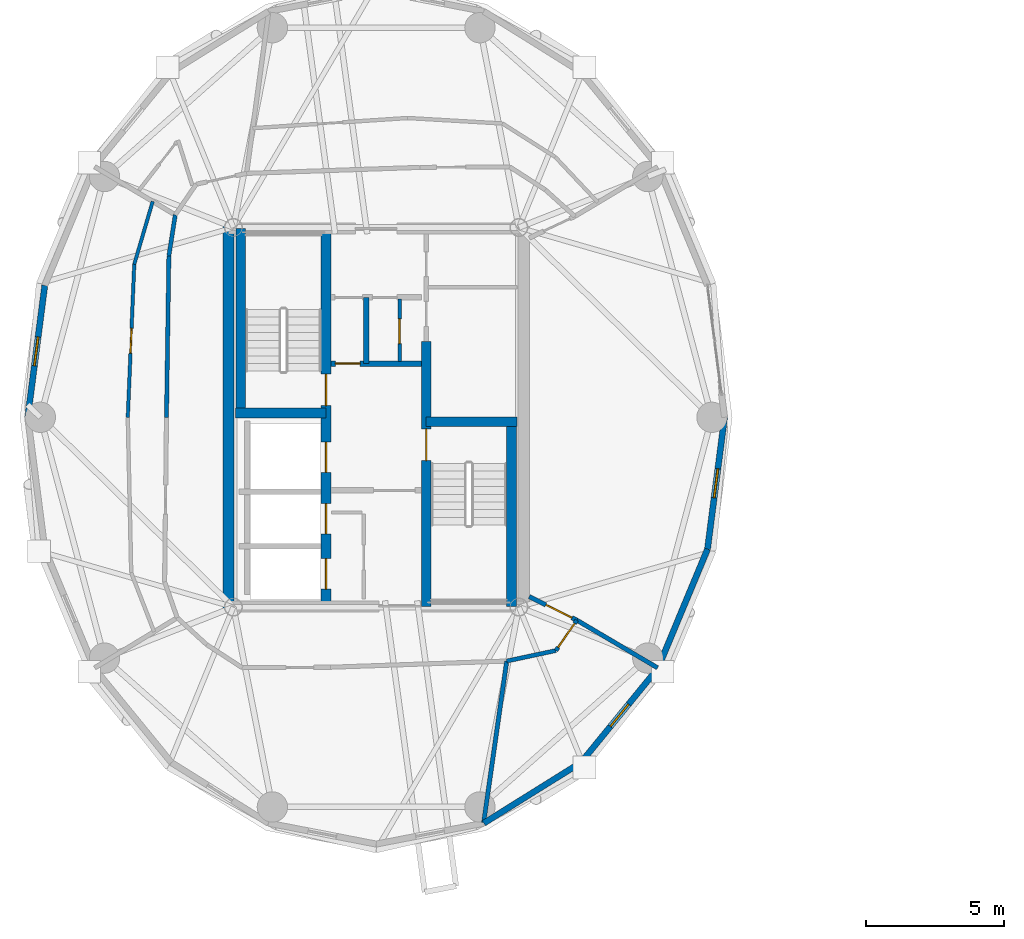
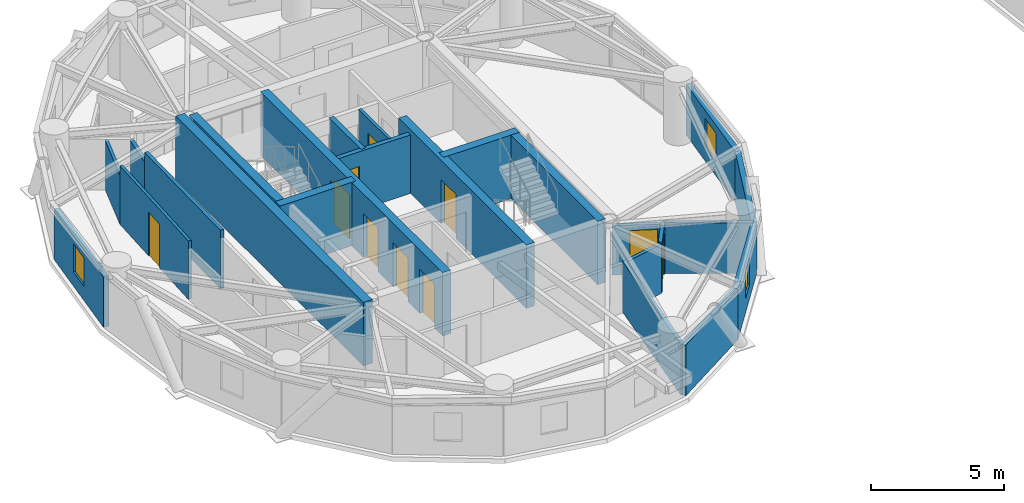
# One storey, part 9 of 16: 24 walls, 10 doors, 3 windows, 13 openings.
"""IFC4 building model written with IfcOpenShell, lengths in metres."""

from ifc_helpers import new_model, si_unit, direction, frame, frame_2d, origin, place, context, subcontext, project, spatial, rectangle, extrude, source, transform, mapped, material, layer, layer_set, type_object, element, fill, save


model = new_model("IFC4")

# Units and contexts
model_context = context("Model", 3, precision=1e-05, world=origin(), true_north=direction((0.0, 1.0)))
body_context = subcontext(model_context, "Body", "Model", "MODEL_VIEW")
ifc_project = project(units=[si_unit("LENGTHUNIT", "METRE"), si_unit("AREAUNIT", "SQUARE_METRE"), si_unit("VOLUMEUNIT", "CUBIC_METRE"), si_unit("PLANEANGLEUNIT", "RADIAN"), si_unit("MASSUNIT", "GRAM", prefix="KILO")], contexts=[model_context])

# Site, building, storey
site_placement = place(None, origin())
site = spatial("IfcSite", under=ifc_project, at=site_placement, CompositionType="ELEMENT")
building_placement = place(site_placement, origin())
building = spatial("IfcBuilding", under=site, at=building_placement, Name="Cununo Teusaquillo Station Towers", CompositionType="ELEMENT")
storey_placement = place(building_placement, frame((0.0, 0.0, 219.93994140625)))
storey = spatial("IfcBuildingStorey", under=building, at=storey_placement, Name="L70", CompositionType="ELEMENT", Elevation=219.93994140625)

# Wall, openings, doors
ifc_material_1 = material(Name="Concrete C50/60", Category="concrete")
ifc_layer_1 = layer(ifc_material_1, 0.35009765625)
ifc_layer_set_1 = layer_set([ifc_layer_1], Name="Concrete C50/60")
wall_type_1 = type_object("IfcWallType", Name="WL-CORE-350", PredefinedType="SHEAR", material=ifc_layer_set_1)
wall_1_placement = place(storey_placement, frame((14.68505859375, 17.64990234375, 0.0), z_axis=(0.0, 0.0, 1.0), x_axis=(0.0, 1.0, 0.0)))
wall_1 = element("IfcWall", 1, at=wall_1_placement, inside=storey, type_object=wall_type_1, Name="L70 Tower A Core Shear Wall IW", PredefinedType="SHEAR", context=body_context, shape_type="SweptSolid", body=[
    extrude(rectangle(XDim=13.7001953125, YDim=0.35009765625, at=frame_2d((6.85009765625, 0.0))), origin(), (0.0, 0.0, 1.0), 2.91015625),
])
shared_shape_1 = source(origin(), body_context, "Body", "SweptSolid", [
    extrude(rectangle(XDim=1.10009765625, YDim=2.014892578125, at=frame_2d((0.550048828125, 1.00732421875))), frame((0.0, 0.18505859375, 0.0), z_axis=(0.0, -1.0, 0.0), x_axis=(1.0, 0.0, 0.0)), (0.0, 0.0, 1.0), 0.3701171875),
])
opening_1_placement = place(wall_1_placement, frame((4.85009765625, 0.0, 0.0)))
opening_1 = element("IfcOpeningElement", 2, at=opening_1_placement, cuts=wall_1, Name="Opening LD-01", PredefinedType="OPENING", context=body_context, shape_type="MappedRepresentation", body=[
    mapped(shared_shape_1, transform((0.0, 0.0, 0.0), x_axis=(1.0, 0.0, 0.0), y_axis=(0.0, 1.0, 0.0), z_axis=(0.0, 0.0, 1.0), scale=1.0)),
])
opening_2_placement = place(wall_1_placement, frame((0.625, 0.0, 0.0)))
opening_2 = element("IfcOpeningElement", 3, at=opening_2_placement, cuts=wall_1, Name="Opening LD-01", PredefinedType="OPENING", context=body_context, shape_type="MappedRepresentation", body=[
    mapped(shared_shape_1, transform((0.0, 0.0, 0.0), x_axis=(1.0, 0.0, 0.0), y_axis=(0.0, 1.0, 0.0), z_axis=(0.0, 0.0, 1.0), scale=1.0)),
])
opening_3_placement = place(wall_1_placement, frame((2.625, 0.0, 0.0)))
opening_3 = element("IfcOpeningElement", 4, at=opening_3_placement, cuts=wall_1, Name="Opening LD-01", PredefinedType="OPENING", context=body_context, shape_type="MappedRepresentation", body=[
    mapped(shared_shape_1, transform((0.0, 0.0, 0.0), x_axis=(1.0, 0.0, 0.0), y_axis=(0.0, 1.0, 0.0), z_axis=(0.0, 0.0, 1.0), scale=1.0)),
])
shared_shape_2 = source(origin(), body_context, "Body", "SweptSolid", [
    extrude(rectangle(XDim=1.14990234375, YDim=2.02001953125, at=frame_2d((0.574951171875, 1.010009765625))), frame((0.0, 0.18505859375, 0.0), z_axis=(0.0, -1.0, 0.0), x_axis=(1.0, 0.0, 0.0)), (0.0, 0.0, 1.0), 0.3701171875),
])
opening_4_placement = place(wall_1_placement, frame((7.27001953125, 0.0, 0.0)))
opening_4 = element("IfcOpeningElement", 5, at=opening_4_placement, cuts=wall_1, Name="Opening D-ST1", PredefinedType="OPENING", context=body_context, shape_type="MappedRepresentation", body=[
    mapped(shared_shape_2, transform((0.0, 0.0, 0.0), x_axis=(1.0, 0.0, 0.0), y_axis=(0.0, 1.0, 0.0), z_axis=(0.0, 0.0, 1.0), scale=1.0)),
])
ifc_material_2 = material(Name="Galvanised fire-rated hollow steel door assembly", Category="steel")
door_type_1 = type_object("IfcDoorType", Name="DR-LIFT-1100", OperationType="SLIDING_TO_LEFT", PredefinedType="DOOR", material=ifc_material_2)
shared_shape_3 = source(origin(), body_context, "Body", "SweptSolid", [
    extrude(rectangle(XDim=1.10009765625, YDim=2.014892578125, at=frame_2d((0.550048828125, 1.00732421875))), frame((0.0, 0.02490234375, 0.0), z_axis=(0.0, -1.0, 0.0), x_axis=(1.0, 0.0, 0.0)), (0.0, 0.0, 1.0), 0.050048828125),
])
door_1_placement = place(opening_1_placement, origin())
door_1 = element("IfcDoor", 6, at=door_1_placement, inside=storey, type_object=door_type_1, Name="L70 Lift FL-T1 Sliding Landing Door", OperationType="SLIDING_TO_LEFT", OverallHeight=2.014892578125, OverallWidth=1.10009765625, PredefinedType="DOOR", context=body_context, shape_type="MappedRepresentation", body=[
    mapped(shared_shape_3, transform((0.0, 0.0, 0.0), x_axis=(1.0, 0.0, 0.0), y_axis=(0.0, 1.0, 0.0), z_axis=(0.0, 0.0, 1.0), scale=1.0)),
])
fill(opening_1, door_1)
door_2_placement = place(opening_2_placement, origin())
door_2 = element("IfcDoor", 7, at=door_2_placement, inside=storey, type_object=door_type_1, Name="L70 Lift PL-T1-H1 Sliding Landing Door", OperationType="SLIDING_TO_LEFT", OverallHeight=2.014892578125, OverallWidth=1.10009765625, PredefinedType="DOOR", context=body_context, shape_type="MappedRepresentation", body=[
    mapped(shared_shape_3, transform((0.0, 0.0, 0.0), x_axis=(1.0, 0.0, 0.0), y_axis=(0.0, 1.0, 0.0), z_axis=(0.0, 0.0, 1.0), scale=1.0)),
])
fill(opening_2, door_2)
door_3_placement = place(opening_3_placement, origin())
door_3 = element("IfcDoor", 8, at=door_3_placement, inside=storey, type_object=door_type_1, Name="L70 Lift PL-T1-H2 Sliding Landing Door", OperationType="SLIDING_TO_RIGHT", OverallHeight=2.014892578125, OverallWidth=1.10009765625, PredefinedType="DOOR", context=body_context, shape_type="MappedRepresentation", body=[
    mapped(shared_shape_3, transform((0.0, 0.0, 0.0), x_axis=(1.0, 0.0, 0.0), y_axis=(0.0, 1.0, 0.0), z_axis=(0.0, 0.0, 1.0), scale=1.0)),
])
fill(opening_3, door_3)
ifc_material_3 = material(Name="Galvanised fire-rated hollow steel door assembly", Category="steel")
door_type_2 = type_object("IfcDoorType", Name="DR-STAIR-1150", OperationType="NOTDEFINED", PredefinedType="DOOR", material=ifc_material_3)
shared_shape_4 = source(origin(), body_context, "Body", "SweptSolid", [
    extrude(rectangle(XDim=1.14990234375, YDim=2.02001953125, at=frame_2d((0.574951171875, 1.010009765625))), frame((0.0, 0.02490234375, 0.0), z_axis=(0.0, -1.0, 0.0), x_axis=(1.0, 0.0, 0.0)), (0.0, 0.0, 1.0), 0.050048828125),
])
door_4_placement = place(opening_4_placement, origin())
door_4 = element("IfcDoor", 9, at=door_4_placement, inside=storey, type_object=door_type_2, Name="L70 Tower A Exit Stair 1 Fire Door", OperationType="SINGLE_SWING_RIGHT", OverallHeight=2.02001953125, OverallWidth=1.14990234375, PredefinedType="DOOR", context=body_context, shape_type="MappedRepresentation", body=[
    mapped(shared_shape_4, transform((0.0, 0.0, 0.0), x_axis=(1.0, 0.0, 0.0), y_axis=(0.0, 1.0, 0.0), z_axis=(0.0, 0.0, 1.0), scale=1.0)),
])
fill(opening_4, door_4)

# Wall, opening, door
wall_2_placement = place(storey_placement, frame((18.31494140625, 17.64990234375, 0.0), z_axis=(0.0, 0.0, 1.0), x_axis=(0.0, 1.0, 0.0)))
wall_2 = element("IfcWall", 10, at=wall_2_placement, inside=storey, type_object=wall_type_1, Name="L70 Tower A Core Shear Wall IE", PredefinedType="SHEAR", context=body_context, shape_type="SweptSolid", body=[
    extrude(rectangle(XDim=9.60009765625, YDim=0.35009765625, at=frame_2d((4.800048828125, 0.0))), origin(), (0.0, 0.0, 1.0), 2.91015625),
])
opening_5_placement = place(wall_2_placement, frame((5.280029296875, 0.0, 0.0)))
opening_5 = element("IfcOpeningElement", 11, at=opening_5_placement, cuts=wall_2, Name="Opening D-ST1", PredefinedType="OPENING", context=body_context, shape_type="MappedRepresentation", body=[
    mapped(shared_shape_2, transform((0.0, 0.0, 0.0), x_axis=(1.0, 0.0, 0.0), y_axis=(0.0, 1.0, 0.0), z_axis=(0.0, 0.0, 1.0), scale=1.0)),
])
door_5_placement = place(opening_5_placement, origin())
door_5 = element("IfcDoor", 12, at=door_5_placement, inside=storey, type_object=door_type_2, Name="L70 Tower A Exit Stair 2 Fire Door", OperationType="SINGLE_SWING_LEFT", OverallHeight=2.02001953125, OverallWidth=1.14990234375, PredefinedType="DOOR", context=body_context, shape_type="MappedRepresentation", body=[
    mapped(shared_shape_4, transform((0.0, 0.0, 0.0), x_axis=(1.0, 0.0, 0.0), y_axis=(0.0, 1.0, 0.0), z_axis=(0.0, 0.0, 1.0), scale=1.0)),
])
fill(opening_5, door_5)

# Walls
wall_3_placement = place(storey_placement, frame((11.594970703125, 24.655029296875, 0.0), z_axis=(0.0, 0.0, 1.0), x_axis=(0.0, 1.0, 0.0)))
element("IfcWall", 13, at=wall_3_placement, inside=storey, type_object=wall_type_1, Name="L70 Tower A Core Shear Wall ST1W", PredefinedType="SHEAR", context=body_context, shape_type="SweptSolid", body=[
    extrude(rectangle(XDim=6.695068359375, YDim=0.35009765625, at=frame_2d((3.34765625, 0.0))), origin(), (0.0, 0.0, 1.0), 2.91015625),
])
wall_4_placement = place(storey_placement, frame((11.39990234375, 24.655029296875, 0.0), z_axis=(0.0, 0.0, 1.0), x_axis=(1.0, 0.0, 0.0)))
element("IfcWall", 14, at=wall_4_placement, inside=storey, type_object=wall_type_1, Name="L70 Tower A Core Shear Wall ST1S", PredefinedType="SHEAR", context=body_context, shape_type="SweptSolid", body=[
    extrude(rectangle(XDim=3.28515625, YDim=0.35009765625, at=frame_2d((1.642578125, 0.0))), origin(), (0.0, 0.0, 1.0), 2.91015625),
])
wall_5_placement = place(storey_placement, frame((21.405029296875, 17.64990234375, 0.0), z_axis=(0.0, 0.0, 1.0), x_axis=(0.0, 1.0, 0.0)))
element("IfcWall", 15, at=wall_5_placement, inside=storey, type_object=wall_type_1, Name="L70 Tower A Core Shear Wall ST2E", PredefinedType="SHEAR", context=body_context, shape_type="SweptSolid", body=[
    extrude(rectangle(XDim=6.695068359375, YDim=0.35009765625, at=frame_2d((3.34765625, 0.0))), origin(), (0.0, 0.0, 1.0), 2.91015625),
])
wall_6_placement = place(storey_placement, frame((18.31494140625, 24.344970703125, 0.0), z_axis=(0.0, 0.0, 1.0), x_axis=(1.0, 0.0, 0.0)))
element("IfcWall", 16, at=wall_6_placement, inside=storey, type_object=wall_type_1, Name="L70 Tower A Core Shear Wall ST2N", PredefinedType="SHEAR", context=body_context, shape_type="SweptSolid", body=[
    extrude(rectangle(XDim=3.28515625, YDim=0.35009765625, at=frame_2d((1.642578125, 0.0))), origin(), (0.0, 0.0, 1.0), 2.91015625),
])
ifc_material_4 = material(Name="Concrete C50/60", Category="concrete")
ifc_layer_2 = layer(ifc_material_4, 0.39990234375)
ifc_layer_set_2 = layer_set([ifc_layer_2], Name="Concrete C50/60")
wall_type_2 = type_object("IfcWallType", Name="WL-CORE-400", PredefinedType="SHEAR", material=ifc_layer_set_2)
wall_7_placement = place(storey_placement, frame((11.14990234375, 17.449951171875, 0.0), z_axis=(0.0, 0.0, 1.0), x_axis=(0.0, 1.0, 0.0)))
element("IfcWall", 17, at=wall_7_placement, inside=storey, type_object=wall_type_2, Name="L70 Tower A Core Shear Wall W", PredefinedType="SHEAR", context=body_context, shape_type="SweptSolid", body=[
    extrude(rectangle(XDim=14.10009765625, YDim=0.39990234375, at=frame_2d((7.050048828125, 0.0))), origin(), (0.0, 0.0, 1.0), 2.91015625),
])

# Wall, opening, window
ifc_material_5 = material(Name="Precast concrete C40/50", Category="concrete")
ifc_layer_3 = layer(ifc_material_5, 0.219970703125)
ifc_layer_set_3 = layer_set([ifc_layer_3], Name="Precast concrete C40/50")
wall_type_3 = type_object("IfcWallType", Name="WL-EXT-220", PredefinedType="SOLIDWALL", material=ifc_layer_set_3)
wall_8_placement = place(storey_placement, frame((3.8701171875, 24.5, 0.0), z_axis=(0.0, 0.0, 1.0), x_axis=(0.128241318541, 0.991742993027, 0.0)))
wall_8 = element("IfcWall", 18, at=wall_8_placement, inside=storey, type_object=wall_type_3, Name="L70 Tower A Exterior Facade Wall C09", PredefinedType="SOLIDWALL", context=body_context, shape_type="SweptSolid", body=[
    extrude(rectangle(XDim=4.8203125, YDim=0.219970703125, at=frame_2d((2.41015625, 0.0))), origin(), (0.0, 0.0, 1.0), 2.322021484375),
])
shared_shape_5 = source(origin(), body_context, "Body", "SweptSolid", [
    extrude(rectangle(XDim=1.050048828125, YDim=1.300048828125, at=frame_2d((0.52490234375, 0.64990234375))), frame((0.0, 0.119873046875, 0.0), z_axis=(0.0, -1.0, 0.0), x_axis=(1.0, 0.0, 0.0)), (0.0, 0.0, 1.0), 0.239990234375),
])
opening_6_placement = place(wall_8_placement, frame((1.885009765625, 0.0, 0.64990234375)))
opening_6 = element("IfcOpeningElement", 19, at=opening_6_placement, cuts=wall_8, Name="Opening WN-04", PredefinedType="OPENING", context=body_context, shape_type="MappedRepresentation", body=[
    mapped(shared_shape_5, transform((0.0, 0.0, 0.0), x_axis=(1.0, 0.0, 0.0), y_axis=(0.0, 1.0, 0.0), z_axis=(0.0, 0.0, 1.0), scale=1.0)),
])
ifc_material_6 = material(Name="Operable acoustic tinted low-E double glazing", Category="glass")
window_type = type_object("IfcWindowType", Name="WIN-BAL-1050", PartitioningType="SINGLE_PANEL", PredefinedType="WINDOW", material=ifc_material_6)
shared_shape_6 = source(origin(), body_context, "Body", "SweptSolid", [
    extrude(rectangle(XDim=1.050048828125, YDim=1.300048828125, at=frame_2d((0.52490234375, 0.64990234375))), frame((0.0, 0.030029296875, 0.0), z_axis=(0.0, -1.0, 0.0), x_axis=(1.0, 0.0, 0.0)), (0.0, 0.0, 1.0), 0.06005859375),
])
window_1_placement = place(opening_6_placement, origin())
window_1 = element("IfcWindow", 20, at=window_1_placement, inside=storey, type_object=window_type, Name="L70 Tower A Facade Window C09", OverallHeight=1.300048828125, OverallWidth=1.050048828125, PartitioningType="SINGLE_PANEL", PredefinedType="WINDOW", context=body_context, shape_type="MappedRepresentation", body=[
    mapped(shared_shape_6, transform((0.0, 0.0, 0.0), x_axis=(1.0, 0.0, 0.0), y_axis=(0.0, 1.0, 0.0), z_axis=(0.0, 0.0, 1.0), scale=1.0)),
])
fill(opening_6, window_1)

# Wall
wall_9_placement = place(storey_placement, frame((23.923583984375, 11.984619140625, 0.0), z_axis=(0.0, 0.0, 1.0), x_axis=(-0.848318713376, -0.529485939886, 0.0)))
element("IfcWall", 21, at=wall_9_placement, inside=storey, type_object=wall_type_3, Name="L70 Tower A Exterior Facade Wall C16", PredefinedType="SOLIDWALL", context=body_context, shape_type="SweptSolid", body=[
    extrude(rectangle(XDim=4.150390625, YDim=0.219970703125, at=frame_2d((2.0751953125, 0.0))), origin(), (0.0, 0.0, 1.0), 2.322021484375),
])

# Wall, opening, window
wall_10_placement = place(storey_placement, frame((26.718017578125, 15.406982421875, 0.0), z_axis=(0.0, 0.0, 1.0), x_axis=(-0.632467166636, -0.774587169483, 0.0)))
wall_10 = element("IfcWall", 22, at=wall_10_placement, inside=storey, type_object=wall_type_3, Name="L70 Tower A Exterior Facade Wall C17", PredefinedType="SOLIDWALL", context=body_context, shape_type="SweptSolid", body=[
    extrude(rectangle(XDim=4.418212890625, YDim=0.219970703125, at=frame_2d((2.208984375, 0.0))), origin(), (0.0, 0.0, 1.0), 2.322021484375),
])
opening_7_placement = place(wall_10_placement, frame((1.68408203125, 0.0, 0.64990234375)))
opening_7 = element("IfcOpeningElement", 23, at=opening_7_placement, cuts=wall_10, Name="Opening WN-04", PredefinedType="OPENING", context=body_context, shape_type="MappedRepresentation", body=[
    mapped(shared_shape_5, transform((0.0, 0.0, 0.0), x_axis=(1.0, 0.0, 0.0), y_axis=(0.0, 1.0, 0.0), z_axis=(0.0, 0.0, 1.0), scale=1.0)),
])
window_2_placement = place(opening_7_placement, origin())
window_2 = element("IfcWindow", 24, at=window_2_placement, inside=storey, type_object=window_type, Name="L70 Tower A Facade Window C17", OverallHeight=1.300048828125, OverallWidth=1.050048828125, PartitioningType="SINGLE_PANEL", PredefinedType="WINDOW", context=body_context, shape_type="MappedRepresentation", body=[
    mapped(shared_shape_6, transform((0.0, 0.0, 0.0), x_axis=(1.0, 0.0, 0.0), y_axis=(0.0, 1.0, 0.0), z_axis=(0.0, 0.0, 1.0), scale=1.0)),
])
fill(opening_7, window_2)

# Wall
wall_11_placement = place(storey_placement, frame((28.51171875, 19.719482421875, 0.0), z_axis=(0.0, 0.0, 1.0), x_axis=(-0.384036305194, -0.923317993052, 0.0)))
element("IfcWall", 25, at=wall_11_placement, inside=storey, type_object=wall_type_3, Name="L70 Tower A Exterior Facade Wall C18", PredefinedType="SOLIDWALL", context=body_context, shape_type="SweptSolid", body=[
    extrude(rectangle(XDim=4.670654296875, YDim=0.219970703125, at=frame_2d((2.33544921875, 0.0))), origin(), (0.0, 0.0, 1.0), 2.322021484375),
])

# Wall, opening, window
wall_12_placement = place(storey_placement, frame((29.1298828125, 24.5, 0.0), z_axis=(0.0, 0.0, 1.0), x_axis=(-0.128241318541, -0.991742993027, 0.0)))
wall_12 = element("IfcWall", 26, at=wall_12_placement, inside=storey, type_object=wall_type_3, Name="L70 Tower A Exterior Facade Wall C19", PredefinedType="SOLIDWALL", context=body_context, shape_type="SweptSolid", body=[
    extrude(rectangle(XDim=4.8203125, YDim=0.219970703125, at=frame_2d((2.41015625, 0.0))), origin(), (0.0, 0.0, 1.0), 2.322021484375),
])
opening_8_placement = place(wall_12_placement, frame((1.885009765625, 0.0, 0.64990234375)))
opening_8 = element("IfcOpeningElement", 27, at=opening_8_placement, cuts=wall_12, Name="Opening WN-04", PredefinedType="OPENING", context=body_context, shape_type="MappedRepresentation", body=[
    mapped(shared_shape_5, transform((0.0, 0.0, 0.0), x_axis=(1.0, 0.0, 0.0), y_axis=(0.0, 1.0, 0.0), z_axis=(0.0, 0.0, 1.0), scale=1.0)),
])
window_3_placement = place(opening_8_placement, origin())
window_3 = element("IfcWindow", 28, at=window_3_placement, inside=storey, type_object=window_type, Name="L70 Tower A Facade Window C19", OverallHeight=1.300048828125, OverallWidth=1.050048828125, PartitioningType="SINGLE_PANEL", PredefinedType="WINDOW", context=body_context, shape_type="MappedRepresentation", body=[
    mapped(shared_shape_6, transform((0.0, 0.0, 0.0), x_axis=(1.0, 0.0, 0.0), y_axis=(0.0, 1.0, 0.0), z_axis=(0.0, 0.0, 1.0), scale=1.0)),
])
fill(opening_8, window_3)

# Wall, opening, door
ifc_material_7 = material(Name="Fire-rated gypsum plasterboard partition assembly", Category="gypsum")
ifc_layer_4 = layer(ifc_material_7, 0.125)
ifc_layer_set_4 = layer_set([ifc_layer_4], Name="Fire-rated gypsum plasterboard partition assembly")
wall_type_4 = type_object("IfcWallType", Name="WL-PART-125", PredefinedType="PARTITIONING", material=ifc_layer_set_4)
wall_13_placement = place(storey_placement, frame((17.35009765625, 26.52001953125, 0.0), z_axis=(0.0, 0.0, 1.0), x_axis=(0.0, 1.0, 0.0)))
wall_13 = element("IfcWall", 29, at=wall_13_placement, inside=storey, type_object=wall_type_4, Name="L70 Tower A Core Vertical Split Wall", PredefinedType="PARTITIONING", context=body_context, shape_type="SweptSolid", body=[
    extrude(rectangle(XDim=2.260009765625, YDim=0.125, at=frame_2d((1.1298828125, 0.0))), origin(), (0.0, 0.0, 1.0), 2.68505859375),
])
shared_shape_7 = source(origin(), body_context, "Body", "SweptSolid", [
    extrude(rectangle(XDim=0.89990234375, YDim=2.0048828125, at=frame_2d((0.449951171875, 1.00244140625))), frame((0.0, 0.072509765625, 0.0), z_axis=(0.0, -1.0, 0.0), x_axis=(1.0, 0.0, 0.0)), (0.0, 0.0, 1.0), 0.14501953125),
])
opening_9_placement = place(wall_13_placement, frame((0.64990234375, 0.0, 0.0)))
opening_9 = element("IfcOpeningElement", 30, at=opening_9_placement, cuts=wall_13, Name="Opening D-SR1", PredefinedType="OPENING", context=body_context, shape_type="MappedRepresentation", body=[
    mapped(shared_shape_7, transform((0.0, 0.0, 0.0), x_axis=(1.0, 0.0, 0.0), y_axis=(0.0, 1.0, 0.0), z_axis=(0.0, 0.0, 1.0), scale=1.0)),
])
ifc_material_8 = material(Name="Galvanised fire-rated hollow steel door assembly", Category="steel")
door_type_3 = type_object("IfcDoorType", Name="DR-STORE-900", OperationType="NOTDEFINED", PredefinedType="DOOR", material=ifc_material_8)
shared_shape_8 = source(origin(), body_context, "Body", "SweptSolid", [
    extrude(rectangle(XDim=0.89990234375, YDim=2.0048828125, at=frame_2d((0.449951171875, 1.00244140625))), frame((0.0, 0.02490234375, 0.0), z_axis=(0.0, -1.0, 0.0), x_axis=(1.0, 0.0, 0.0)), (0.0, 0.0, 1.0), 0.050048828125),
])
door_6_placement = place(opening_9_placement, origin())
door_6 = element("IfcDoor", 31, at=door_6_placement, inside=storey, type_object=door_type_3, Name="L70 Tower A Core Electrical Room Door", OperationType="SINGLE_SWING_RIGHT", OverallHeight=2.0048828125, OverallWidth=0.89990234375, PredefinedType="DOOR", context=body_context, shape_type="MappedRepresentation", body=[
    mapped(shared_shape_8, transform((0.0, 0.0, 0.0), x_axis=(1.0, 0.0, 0.0), y_axis=(0.0, 1.0, 0.0), z_axis=(0.0, 0.0, 1.0), scale=1.0)),
])
fill(opening_9, door_6)

# Wall
wall_14_placement = place(storey_placement, frame((8.40087890625, 32.32568359375, 0.0), z_axis=(0.0, 0.0, 1.0), x_axis=(-0.281681886596, -0.959507850288, 0.0)))
element("IfcWall", 32, at=wall_14_placement, inside=storey, type_object=wall_type_4, Name="L70 Tower A Cordillera Pinnacle Club Concentric Partition Wall C08", PredefinedType="PARTITIONING", context=body_context, shape_type="SweptSolid", body=[
    extrude(rectangle(XDim=2.3740234375, YDim=0.125, at=frame_2d((1.18701171875, 0.0))), origin(), (0.0, 0.0, 1.0), 2.255126953125),
])

# Wall, opening, door
wall_15_placement = place(storey_placement, frame((7.732177734375, 30.0478515625, 0.0), z_axis=(0.0, 0.0, 1.0), x_axis=(-0.042296211955, -0.999105114817, 0.0)))
wall_15 = element("IfcWall", 33, at=wall_15_placement, inside=storey, type_object=wall_type_4, Name="L70 Tower A Cordillera Pinnacle Club Concentric Partition Wall C09", PredefinedType="PARTITIONING", context=body_context, shape_type="SweptSolid", body=[
    extrude(rectangle(XDim=5.552734375, YDim=0.125, at=frame_2d((2.7763671875, 0.0))), origin(), (0.0, 0.0, 1.0), 2.68505859375),
])
opening_10_placement = place(wall_15_placement, frame((2.326416015625, 0.0, 0.0)))
opening_10 = element("IfcOpeningElement", 34, at=opening_10_placement, cuts=wall_15, Name="Opening D-IN1", PredefinedType="OPENING", context=body_context, shape_type="MappedRepresentation", body=[
    mapped(shared_shape_7, transform((0.0, 0.0, 0.0), x_axis=(1.0, 0.0, 0.0), y_axis=(0.0, 1.0, 0.0), z_axis=(0.0, 0.0, 1.0), scale=1.0)),
])
ifc_material_9 = material(Name="Acoustic solid-core hardwood leaf assembly", Category="wood")
door_type_4 = type_object("IfcDoorType", Name="DR-INT-900", OperationType="NOTDEFINED", PredefinedType="DOOR", material=ifc_material_9)
door_7_placement = place(opening_10_placement, origin())
door_7 = element("IfcDoor", 35, at=door_7_placement, inside=storey, type_object=door_type_4, Name="L70 Tower A Cordillera Pinnacle Club Connecting Door", OperationType="SINGLE_SWING_RIGHT", OverallHeight=2.0048828125, OverallWidth=0.89990234375, PredefinedType="DOOR", context=body_context, shape_type="MappedRepresentation", body=[
    mapped(shared_shape_8, transform((0.0, 0.0, 0.0), x_axis=(1.0, 0.0, 0.0), y_axis=(0.0, 1.0, 0.0), z_axis=(0.0, 0.0, 1.0), scale=1.0)),
])
fill(opening_10, door_7)

# Walls
ifc_material_10 = material(Name="Fire-rated gypsum plasterboard partition assembly", Category="gypsum")
ifc_layer_5 = layer(ifc_material_10, 0.14990234375)
ifc_layer_set_5 = layer_set([ifc_layer_5], Name="Fire-rated gypsum plasterboard partition assembly")
wall_type_5 = type_object("IfcWallType", Name="WL-PART-150", PredefinedType="PARTITIONING", material=ifc_layer_set_5)
wall_16_placement = place(storey_placement, frame((9.218505859375, 31.837646484375, 0.0), z_axis=(0.0, 0.0, 1.0), x_axis=(-0.154065528966, -0.98806063214, 0.0)))
element("IfcWall", 36, at=wall_16_placement, inside=storey, type_object=wall_type_5, Name="L70 Tower A Corridor Ring Wall C08", PredefinedType="PARTITIONING", context=body_context, shape_type="SweptSolid", body=[
    extrude(rectangle(XDim=1.507080078125, YDim=0.14990234375, at=frame_2d((0.75341796875, 0.0))), origin(), (0.0, 0.0, 1.0), 2.255126953125),
])
wall_17_placement = place(storey_placement, frame((8.986328125, 30.3486328125, 0.0), z_axis=(0.0, 0.0, 1.0), x_axis=(-0.014775478218, -0.999890836663, 0.0)))
element("IfcWall", 37, at=wall_17_placement, inside=storey, type_object=wall_type_5, Name="L70 Tower A Corridor Ring Wall C09", PredefinedType="PARTITIONING", context=body_context, shape_type="SweptSolid", body=[
    extrude(rectangle(XDim=5.849365234375, YDim=0.14990234375, at=frame_2d((2.9248046875, 0.0))), origin(), (0.0, 0.0, 1.0), 2.68505859375),
])
wall_18_placement = place(storey_placement, frame((21.23388671875, 15.664306640625, 0.0), z_axis=(0.0, 0.0, 1.0), x_axis=(0.977931581182, 0.208925399431, 0.0)))
element("IfcWall", 38, at=wall_18_placement, inside=storey, type_object=wall_type_5, Name="L70 Tower A Corridor Ring Wall C16", PredefinedType="PARTITIONING", context=body_context, shape_type="SweptSolid", body=[
    extrude(rectangle(XDim=1.822998046875, YDim=0.14990234375, at=frame_2d((0.91162109375, 0.0))), origin(), (0.0, 0.0, 1.0), 2.255126953125),
])

# Wall, opening, door
wall_19_placement = place(storey_placement, frame((23.0166015625, 16.045166015625, 0.0), z_axis=(0.0, 0.0, 1.0), x_axis=(0.566660656138, 0.823951273308, 0.0)))
wall_19 = element("IfcWall", 39, at=wall_19_placement, inside=storey, type_object=wall_type_5, Name="L70 Tower A Corridor Ring Wall C17", PredefinedType="PARTITIONING", context=body_context, shape_type="SweptSolid", body=[
    extrude(rectangle(XDim=1.3359375, YDim=0.14990234375, at=frame_2d((0.66796875, 0.0))), origin(), (0.0, 0.0, 1.0), 2.322021484375),
])
shared_shape_9 = source(origin(), body_context, "Body", "SweptSolid", [
    extrude(rectangle(XDim=1.050048828125, YDim=2.014892578125, at=frame_2d((0.52490234375, 1.00732421875))), frame((0.0, 0.0849609375, 0.0), z_axis=(0.0, -1.0, 0.0), x_axis=(1.0, 0.0, 0.0)), (0.0, 0.0, 1.0), 0.169921875),
])
opening_11_placement = place(wall_19_placement, frame((0.14306640625, 0.0, 0.0)))
opening_11 = element("IfcOpeningElement", 40, at=opening_11_placement, cuts=wall_19, Name="Opening D-SU1", PredefinedType="OPENING", context=body_context, shape_type="MappedRepresentation", body=[
    mapped(shared_shape_9, transform((0.0, 0.0, 0.0), x_axis=(1.0, 0.0, 0.0), y_axis=(0.0, 1.0, 0.0), z_axis=(0.0, 0.0, 1.0), scale=1.0)),
])
ifc_material_11 = material(Name="Acoustic solid-core hardwood leaf assembly", Category="wood")
door_type_5 = type_object("IfcDoorType", Name="DR-SUITE-1050", OperationType="NOTDEFINED", PredefinedType="DOOR", material=ifc_material_11)
shared_shape_10 = source(origin(), body_context, "Body", "SweptSolid", [
    extrude(rectangle(XDim=1.050048828125, YDim=2.014892578125, at=frame_2d((0.52490234375, 1.00732421875))), frame((0.0, 0.02490234375, 0.0), z_axis=(0.0, -1.0, 0.0), x_axis=(1.0, 0.0, 0.0)), (0.0, 0.0, 1.0), 0.050048828125),
])
door_8_placement = place(opening_11_placement, origin())
door_8 = element("IfcDoor", 41, at=door_8_placement, inside=storey, type_object=door_type_5, Name="L70 Tower A Hotel Housekeeping & Linen Pantry Entrance Door", OperationType="SINGLE_SWING_RIGHT", OverallHeight=2.014892578125, OverallWidth=1.050048828125, PredefinedType="DOOR", context=body_context, shape_type="MappedRepresentation", body=[
    mapped(shared_shape_10, transform((0.0, 0.0, 0.0), x_axis=(1.0, 0.0, 0.0), y_axis=(0.0, 1.0, 0.0), z_axis=(0.0, 0.0, 1.0), scale=1.0)),
])
fill(opening_11, door_8)

# Walls
ifc_material_12 = material(Name="Fire-rated gypsum plasterboard partition assembly", Category="gypsum")
ifc_layer_6 = layer(ifc_material_12, 0.159912109375)
ifc_layer_set_6 = layer_set([ifc_layer_6], Name="Fire-rated gypsum plasterboard partition assembly")
wall_type_6 = type_object("IfcWallType", Name="WL-PART-160", PredefinedType="PARTITIONING", material=ifc_layer_set_6)
wall_20_placement = place(storey_placement, frame((21.23388671875, 15.664306640625, 0.0), z_axis=(0.0, 0.0, 1.0), x_axis=(-0.141467563045, -0.989942891588, 0.0)))
element("IfcWall", 42, at=wall_20_placement, inside=storey, type_object=wall_type_6, Name="L70 Tower A Radial Suite Partition R05", PredefinedType="PARTITIONING", context=body_context, shape_type="SweptSolid", body=[
    extrude(rectangle(XDim=5.917724609375, YDim=0.159912109375, at=frame_2d((2.958984375, 0.0))), origin(), (0.0, 0.0, 1.0), 2.322021484375),
])
wall_21_placement = place(storey_placement, frame((23.773681640625, 17.14599609375, 0.0), z_axis=(0.0, 0.0, 1.0), x_axis=(0.861296601099, -0.508102514198, 0.0)))
element("IfcWall", 43, at=wall_21_placement, inside=storey, type_object=wall_type_6, Name="L70 Tower A Radial Suite Partition R06", PredefinedType="PARTITIONING", context=body_context, shape_type="SweptSolid", body=[
    extrude(rectangle(XDim=3.3994140625, YDim=0.159912109375, at=frame_2d((1.69970703125, 0.0))), origin(), (0.0, 0.0, 1.0), 2.322021484375),
])

# Wall, opening, door
wall_22_placement = place(storey_placement, frame((22.050048828125, 18.0, 0.0), z_axis=(0.0, 0.0, 1.0), x_axis=(0.896045848613, -0.443961526692, 0.0)))
wall_22 = element("IfcWall", 44, at=wall_22_placement, inside=storey, type_object=wall_type_6, Name="L70 Tower A East Salon Corridor Portal Wall SE", PredefinedType="PARTITIONING", context=body_context, shape_type="SweptSolid", body=[
    extrude(rectangle(XDim=1.923583984375, YDim=0.159912109375, at=frame_2d((0.9619140625, 0.0))), origin(), (0.0, 0.0, 1.0), 2.255126953125),
])
shared_shape_11 = source(origin(), body_context, "Body", "SweptSolid", [
    extrude(rectangle(XDim=1.050048828125, YDim=2.014892578125, at=frame_2d((0.52490234375, 1.00732421875))), frame((0.0, 0.08984375, 0.0), z_axis=(0.0, -1.0, 0.0), x_axis=(1.0, 0.0, 0.0)), (0.0, 0.0, 1.0), 0.179931640625),
])
opening_12_placement = place(wall_22_placement, frame((0.673583984375, 0.0, 0.0)))
opening_12 = element("IfcOpeningElement", 45, at=opening_12_placement, cuts=wall_22, Name="Opening D-SU1", PredefinedType="OPENING", context=body_context, shape_type="MappedRepresentation", body=[
    mapped(shared_shape_11, transform((0.0, 0.0, 0.0), x_axis=(1.0, 0.0, 0.0), y_axis=(0.0, 1.0, 0.0), z_axis=(0.0, 0.0, 1.0), scale=1.0)),
])
door_9_placement = place(opening_12_placement, origin())
door_9 = element("IfcDoor", 46, at=door_9_placement, inside=storey, type_object=door_type_5, Name="L70 Tower A East Panorama Sky Salon Door SE", OperationType="SINGLE_SWING_RIGHT", OverallHeight=2.014892578125, OverallWidth=1.050048828125, PredefinedType="DOOR", context=body_context, shape_type="MappedRepresentation", body=[
    mapped(shared_shape_10, transform((0.0, 0.0, 0.0), x_axis=(1.0, 0.0, 0.0), y_axis=(0.0, 1.0, 0.0), z_axis=(0.0, 0.0, 1.0), scale=1.0)),
])
fill(opening_12, door_9)

ifc_material_13 = material(Name="Fire-rated gypsum plasterboard partition assembly", Category="gypsum")
ifc_layer_7 = layer(ifc_material_13, 0.199951171875)
ifc_layer_set_7 = layer_set([ifc_layer_7], Name="Fire-rated gypsum plasterboard partition assembly")
wall_type_7 = type_object("IfcWallType", Name="WL-PART-200", PredefinedType="PARTITIONING", material=ifc_layer_set_7)
wall_23_placement = place(storey_placement, frame((14.860107421875, 26.449951171875, 0.0), z_axis=(0.0, 0.0, 1.0), x_axis=(1.0, 0.0, 0.0)))
wall_23 = element("IfcWall", 47, at=wall_23_placement, inside=storey, type_object=wall_type_7, Name="L70 Tower A Firefighting Lift Lobby North Fire Wall", PredefinedType="PARTITIONING", context=body_context, shape_type="SweptSolid", body=[
    extrude(rectangle(XDim=3.27978515625, YDim=0.199951171875, at=frame_2d((1.639892578125, 0.0))), origin(), (0.0, 0.0, 1.0), 2.68505859375),
])
shared_shape_12 = source(origin(), body_context, "Body", "SweptSolid", [
    extrude(rectangle(XDim=0.89990234375, YDim=2.0048828125, at=frame_2d((0.449951171875, 1.00244140625))), frame((0.0, 0.10986328125, 0.0), z_axis=(0.0, -1.0, 0.0), x_axis=(1.0, 0.0, 0.0)), (0.0, 0.0, 1.0), 0.219970703125),
])
opening_13_placement = place(wall_23_placement, frame((0.159912109375, 0.0, 0.0)))
opening_13 = element("IfcOpeningElement", 48, at=opening_13_placement, cuts=wall_23, Name="Opening D-SR1", PredefinedType="OPENING", context=body_context, shape_type="MappedRepresentation", body=[
    mapped(shared_shape_12, transform((0.0, 0.0, 0.0), x_axis=(1.0, 0.0, 0.0), y_axis=(0.0, 1.0, 0.0), z_axis=(0.0, 0.0, 1.0), scale=1.0)),
])
door_10_placement = place(opening_13_placement, origin())
door_10 = element("IfcDoor", 49, at=door_10_placement, inside=storey, type_object=door_type_3, Name="L70 Tower A Stair 1 Protected Vestibule South Door", OperationType="SINGLE_SWING_RIGHT", OverallHeight=2.0048828125, OverallWidth=0.89990234375, PredefinedType="DOOR", context=body_context, shape_type="MappedRepresentation", body=[
    mapped(shared_shape_8, transform((0.0, 0.0, 0.0), x_axis=(1.0, 0.0, 0.0), y_axis=(0.0, 1.0, 0.0), z_axis=(0.0, 0.0, 1.0), scale=1.0)),
])
fill(opening_13, door_10)

# Wall
wall_24_placement = place(storey_placement, frame((16.14990234375, 26.449951171875, 0.0), z_axis=(0.0, 0.0, 1.0), x_axis=(0.0, 1.0, 0.0)))
element("IfcWall", 50, at=wall_24_placement, inside=storey, type_object=wall_type_7, Name="L70 Tower A Stair 1 Vestibule Partition Wall", PredefinedType="PARTITIONING", context=body_context, shape_type="SweptSolid", body=[
    extrude(rectangle(XDim=2.400146484375, YDim=0.199951171875, at=frame_2d((1.2001953125, 0.0))), origin(), (0.0, 0.0, 1.0), 2.68505859375),
])

save(model, "model.ifc")
